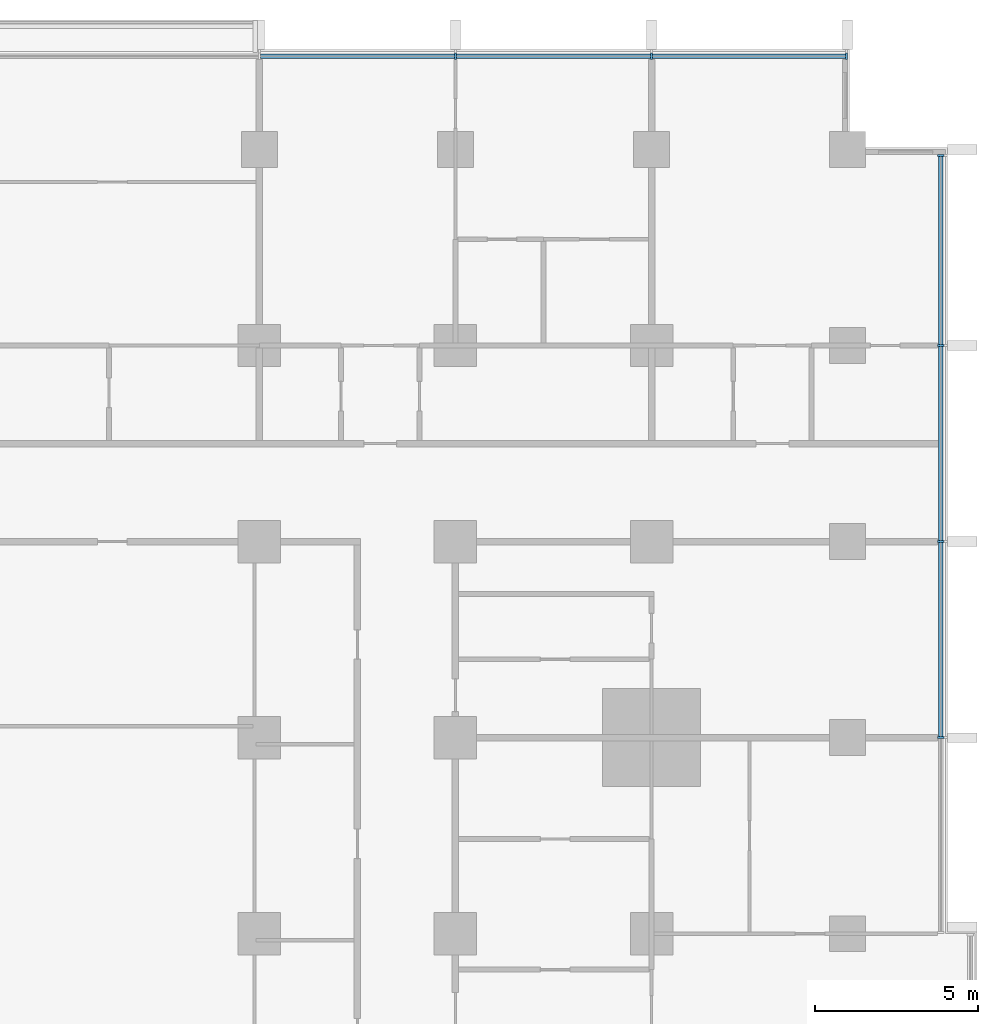
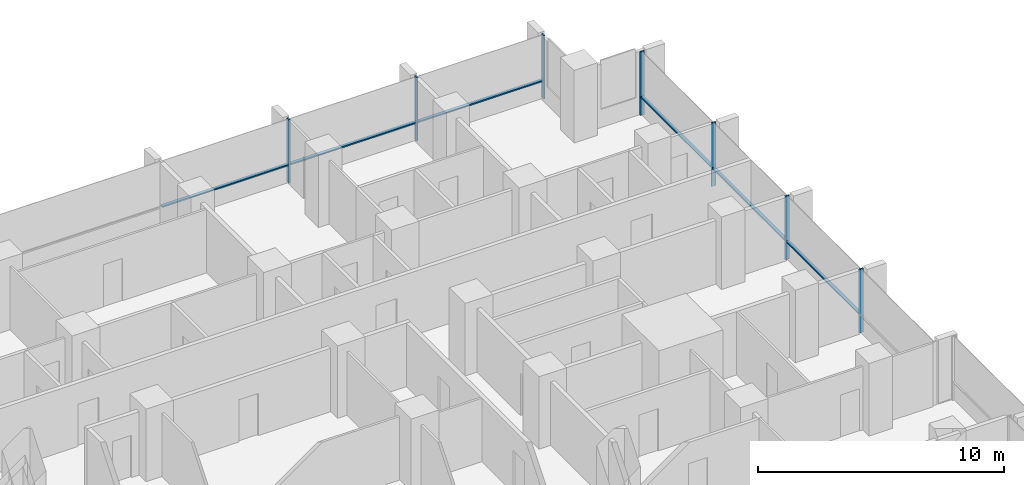
# One storey, part 5 of 18: 13 members, 2 elements without a shape of their own.
"""IFC4 building model written with IfcOpenShell, lengths in metres."""

from ifc_helpers import new_model, si_unit, direction, frame, origin, origin_2d, place, context, subcontext, project, spatial, rectangle, extrude, material, material_profile, profile_set, type_object, element, aggregate, save


model = new_model("IFC4")

# Units and contexts
model_context = context("Model", 3, precision=1e-05, world=origin(), true_north=direction((0.0, 1.0)))
body_context = subcontext(model_context, "Body", "Model", "MODEL_VIEW")
ifc_project = project(units=[si_unit("LENGTHUNIT", "METRE"), si_unit("AREAUNIT", "SQUARE_METRE"), si_unit("VOLUMEUNIT", "CUBIC_METRE"), si_unit("PLANEANGLEUNIT", "RADIAN"), si_unit("MASSUNIT", "GRAM", prefix="KILO")], contexts=[model_context])

# Site, building, storey
site_placement = place(None, origin())
site = spatial("IfcSite", under=ifc_project, at=site_placement, CompositionType="ELEMENT")
building_placement = place(site_placement, origin())
building = spatial("IfcBuilding", under=site, at=building_placement, Name="Finial Court Residences", CompositionType="ELEMENT")
storey_placement = place(building_placement, frame((0.0, 0.0, 72.10009765625)))
storey = spatial("IfcBuildingStorey", under=building, at=storey_placement, Name="L17", CompositionType="ELEMENT", Elevation=72.10009765625)

# Curtain wall, members
ifc_material = material(Name="Bronze anodised aluminium", Category="aluminium")
curtain_wall_type = type_object("IfcCurtainWallType", Name="Unitised curtain wall, lower and middle zones", PredefinedType="NOTDEFINED", material=ifc_material)
curtain_wall_1_placement = place(storey_placement, origin())
curtain_wall_1 = element("IfcCurtainWall", 1, at=curtain_wall_1_placement, inside=storey, type_object=curtain_wall_type, Name="E-L17-CW-N3", PredefinedType="NOTDEFINED")
ifc_material_profile_1 = material_profile(ifc_material, rectangle(XDim=0.199951171875, YDim=0.06494140625, at=origin_2d()), Name="CW1 mullion 65 x 200")
ifc_profile_set_1 = profile_set([ifc_material_profile_1], Name="Bronze anodised aluminium")
member_type_1 = type_object("IfcMemberType", Name="CW1 mullion 65 x 200", PredefinedType="MULLION", material=ifc_profile_set_1)
member_1_placement = place(storey_placement, frame((10.5, 28.35009765625, 0.0), z_axis=(0.0, 0.0, 1.0), x_axis=(0.0, 1.0, 0.0)))
member_1 = element("IfcMember", 2, at=member_1_placement, type_object=member_type_1, Name="CW1 mullion 4", PredefinedType="MULLION", context=body_context, shape_type="SweptSolid", body=[
    extrude(rectangle(XDim=0.199951171875, YDim=0.06494140625, at=origin_2d()), origin(), (0.0, 0.0, 1.0), 3.14990234375),
])
member_2_placement = place(storey_placement, frame((16.5, 28.35009765625, 0.0), z_axis=(0.0, 0.0, 1.0), x_axis=(0.0, 1.0, 0.0)))
member_2 = element("IfcMember", 3, at=member_2_placement, type_object=member_type_1, Name="CW1 mullion 5", PredefinedType="MULLION", context=body_context, shape_type="SweptSolid", body=[
    extrude(rectangle(XDim=0.199951171875, YDim=0.06494140625, at=origin_2d()), origin(), (0.0, 0.0, 1.0), 3.14990234375),
])
member_3_placement = place(storey_placement, frame((22.467529296875, 28.35009765625, 0.0), z_axis=(0.0, 0.0, 1.0), x_axis=(0.0, 1.0, 0.0)))
member_3 = element("IfcMember", 4, at=member_3_placement, type_object=member_type_1, Name="CW1 mullion 6", PredefinedType="MULLION", context=body_context, shape_type="SweptSolid", body=[
    extrude(rectangle(XDim=0.199951171875, YDim=0.06494140625, at=origin_2d()), origin(), (0.0, 0.0, 1.0), 3.14990234375),
])

curtain_wall_2_placement = place(storey_placement, origin())
curtain_wall_2 = element("IfcCurtainWall", 5, at=curtain_wall_2_placement, inside=storey, type_object=curtain_wall_type, Name="E-L17-CW-E6", PredefinedType="NOTDEFINED")
member_4_placement = place(storey_placement, frame((25.35009765625, 7.5, 0.0), z_axis=(0.0, 0.0, 1.0), x_axis=(-1.0, 0.0, 0.0)))
member_4 = element("IfcMember", 6, at=member_4_placement, type_object=member_type_1, Name="CW1 mullion 2", PredefinedType="MULLION", context=body_context, shape_type="SweptSolid", body=[
    extrude(rectangle(XDim=0.199951171875, YDim=0.06494140625, at=origin_2d()), origin(), (0.0, 0.0, 1.0), 3.14990234375),
])
member_5_placement = place(storey_placement, frame((25.35009765625, 13.5, 0.0), z_axis=(0.0, 0.0, 1.0), x_axis=(-1.0, 0.0, 0.0)))
member_5 = element("IfcMember", 7, at=member_5_placement, type_object=member_type_1, Name="CW1 mullion 3", PredefinedType="MULLION", context=body_context, shape_type="SweptSolid", body=[
    extrude(rectangle(XDim=0.199951171875, YDim=0.06494140625, at=origin_2d()), origin(), (0.0, 0.0, 1.0), 3.14990234375),
])
member_6_placement = place(storey_placement, frame((25.35009765625, 19.5, 0.0), z_axis=(0.0, 0.0, 1.0), x_axis=(-1.0, 0.0, 0.0)))
member_6 = element("IfcMember", 8, at=member_6_placement, type_object=member_type_1, Name="CW1 mullion 4", PredefinedType="MULLION", context=body_context, shape_type="SweptSolid", body=[
    extrude(rectangle(XDim=0.199951171875, YDim=0.06494140625, at=origin_2d()), origin(), (0.0, 0.0, 1.0), 3.14990234375),
])
member_7_placement = place(storey_placement, frame((25.35009765625, 25.3173828125, 0.0), z_axis=(0.0, 0.0, 1.0), x_axis=(-1.0, 0.0, 0.0)))
member_7 = element("IfcMember", 9, at=member_7_placement, type_object=member_type_1, Name="CW1 mullion 5", PredefinedType="MULLION", context=body_context, shape_type="SweptSolid", body=[
    extrude(rectangle(XDim=0.199951171875, YDim=0.06494140625, at=origin_2d()), origin(), (0.0, 0.0, 1.0), 3.14990234375),
])

# Member
ifc_material_profile_2 = material_profile(ifc_material, rectangle(XDim=0.14990234375, YDim=0.06494140625, at=origin_2d()), Name="CW1 transom 65 x 150")
ifc_profile_set_2 = profile_set([ifc_material_profile_2], Name="Bronze anodised aluminium")
member_type_2 = type_object("IfcMemberType", Name="CW1 transom 65 x 150", PredefinedType="USERDEFINED", material=ifc_profile_set_2)
member_8_placement = place(storey_placement, frame((4.532470703125, 28.35009765625, 0.89990234375), z_axis=(1.0, 0.0, 0.0), x_axis=(0.0, 1.0, 0.0)))
member_8 = element("IfcMember", 10, at=member_8_placement, type_object=member_type_2, Name="CW1 transom 3.1", ObjectType="TRANSOM", PredefinedType="USERDEFINED", context=body_context, shape_type="SweptSolid", body=[
    extrude(rectangle(XDim=0.14990234375, YDim=0.06494140625, at=origin_2d()), origin(), (0.0, 0.0, 1.0), 5.93505859375),
])

member_9_placement = place(storey_placement, frame((10.532470703125, 28.35009765625, 0.89990234375), z_axis=(1.0, 0.0, 0.0), x_axis=(0.0, 1.0, 0.0)))
member_9 = element("IfcMember", 11, at=member_9_placement, type_object=member_type_2, Name="CW1 transom 4.1", ObjectType="TRANSOM", PredefinedType="USERDEFINED", context=body_context, shape_type="SweptSolid", body=[
    extrude(rectangle(XDim=0.14990234375, YDim=0.06494140625, at=origin_2d()), origin(), (0.0, 0.0, 1.0), 5.93505859375),
])

member_10_placement = place(storey_placement, frame((16.532470703125, 28.35009765625, 0.89990234375), z_axis=(1.0, 0.0, 0.0), x_axis=(0.0, 1.0, 0.0)))
member_10 = element("IfcMember", 12, at=member_10_placement, type_object=member_type_2, Name="CW1 transom 5.1", ObjectType="TRANSOM", PredefinedType="USERDEFINED", context=body_context, shape_type="SweptSolid", body=[
    extrude(rectangle(XDim=0.14990234375, YDim=0.06494140625, at=origin_2d()), origin(), (0.0, 0.0, 1.0), 5.902587890625),
])

aggregate(curtain_wall_1, [member_1, member_2, member_3, member_8, member_9, member_10])

member_11_placement = place(storey_placement, frame((25.35009765625, 7.532470703125, 0.89990234375), z_axis=(0.0, 1.0, 0.0), x_axis=(-1.0, 0.0, 0.0)))
member_11 = element("IfcMember", 13, at=member_11_placement, type_object=member_type_2, Name="CW1 transom 2.1", ObjectType="TRANSOM", PredefinedType="USERDEFINED", context=body_context, shape_type="SweptSolid", body=[
    extrude(rectangle(XDim=0.14990234375, YDim=0.06494140625, at=origin_2d()), origin(), (0.0, 0.0, 1.0), 5.93505859375),
])

member_12_placement = place(storey_placement, frame((25.35009765625, 13.532470703125, 0.89990234375), z_axis=(0.0, 1.0, 0.0), x_axis=(-1.0, 0.0, 0.0)))
member_12 = element("IfcMember", 14, at=member_12_placement, type_object=member_type_2, Name="CW1 transom 3.1", ObjectType="TRANSOM", PredefinedType="USERDEFINED", context=body_context, shape_type="SweptSolid", body=[
    extrude(rectangle(XDim=0.14990234375, YDim=0.06494140625, at=origin_2d()), origin(), (0.0, 0.0, 1.0), 5.93505859375),
])

member_13_placement = place(storey_placement, frame((25.35009765625, 19.532470703125, 0.89990234375), z_axis=(0.0, 1.0, 0.0), x_axis=(-1.0, 0.0, 0.0)))
member_13 = element("IfcMember", 15, at=member_13_placement, type_object=member_type_2, Name="CW1 transom 4.1", ObjectType="TRANSOM", PredefinedType="USERDEFINED", context=body_context, shape_type="SweptSolid", body=[
    extrude(rectangle(XDim=0.14990234375, YDim=0.06494140625, at=origin_2d()), origin(), (0.0, 0.0, 1.0), 5.75244140625),
])

aggregate(curtain_wall_2, [member_4, member_5, member_6, member_7, member_11, member_12, member_13])

save(model, "model.ifc")
